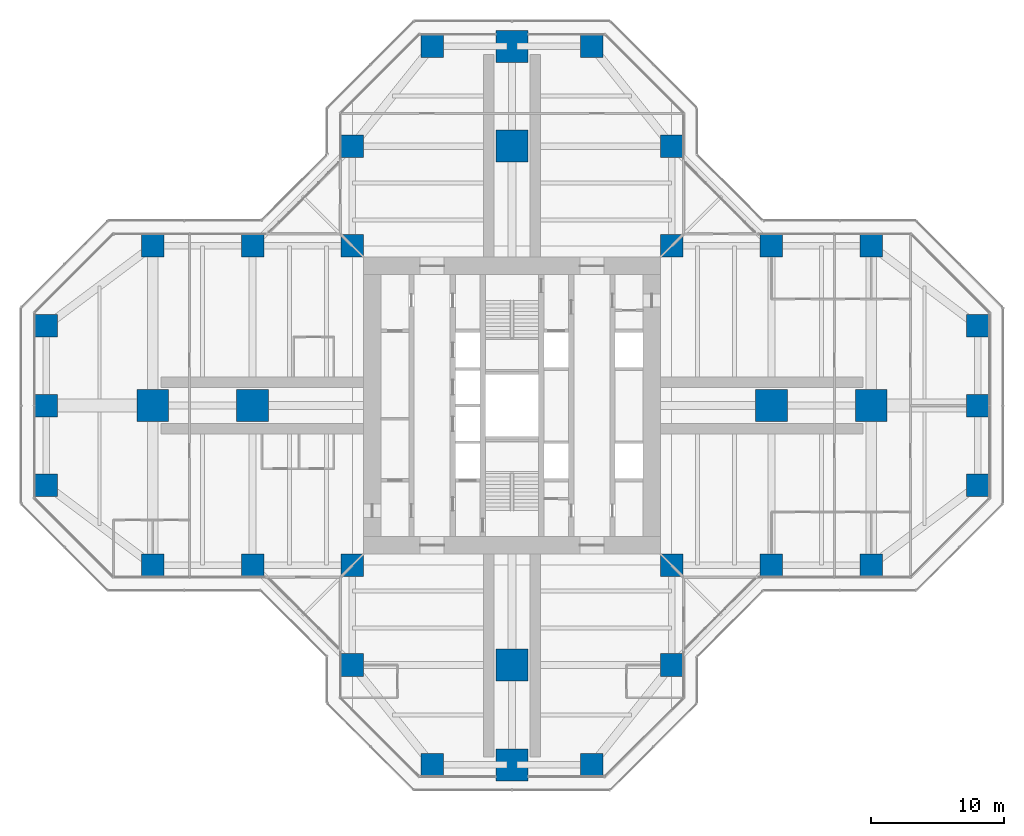
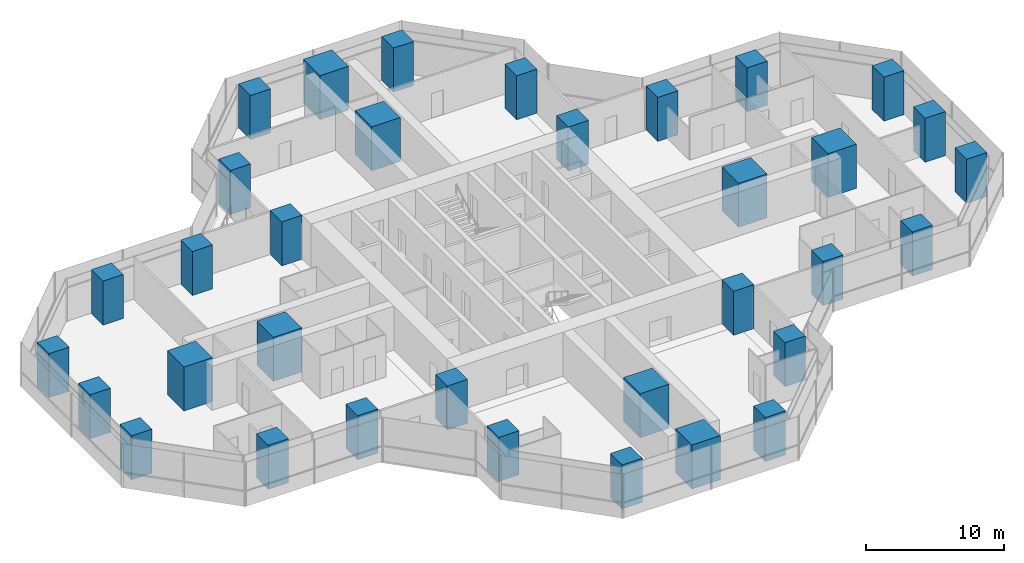
# One storey, part 1 of 20: 34 columns.
"""IFC4 building model written with IfcOpenShell, lengths in metres."""

from ifc_helpers import new_model, si_unit, direction, frame, origin, origin_2d, place, context, subcontext, project, spatial, rectangle, extrude, material, material_profile, profile_set, type_object, element, save


model = new_model("IFC4")

# Units and contexts
model_context = context("Model", 3, precision=1e-05, world=origin(), true_north=direction((0.0, 1.0)))
body_context = subcontext(model_context, "Body", "Model", "MODEL_VIEW")
ifc_project = project(units=[si_unit("LENGTHUNIT", "METRE"), si_unit("AREAUNIT", "SQUARE_METRE"), si_unit("VOLUMEUNIT", "CUBIC_METRE"), si_unit("PLANEANGLEUNIT", "RADIAN"), si_unit("MASSUNIT", "GRAM", prefix="KILO")], contexts=[model_context])

# Site, building, storey
site_placement = place(None, origin())
site = spatial("IfcSite", under=ifc_project, at=site_placement, CompositionType="ELEMENT")
building_placement = place(site_placement, origin())
building = spatial("IfcBuilding", under=site, at=building_placement, Name="Mizan Broadcast Tower", CompositionType="ELEMENT")
storey_placement = place(building_placement, frame((0.0, 0.0, 139.800048828125)))
storey = spatial("IfcBuildingStorey", under=building, at=storey_placement, Name="L31", CompositionType="ELEMENT", Elevation=139.800048828125)

# Columns
ifc_material_1 = material(Name="Concrete C70/85", Category="concrete")
ifc_material_profile_1 = material_profile(ifc_material_1, rectangle(XDim=1.699951171875, YDim=1.699951171875, at=origin_2d()), Name="RC 1700x1700")
ifc_profile_set_1 = profile_set([ifc_material_profile_1], Name="Concrete C70/85")
column_type_1 = type_object("IfcColumnType", Name="RC COLUMN 1700x1700 C70/85", PredefinedType="COLUMN", material=ifc_profile_set_1)
for number, where, z_axis, x_axis, name in (
    (1, (-6.0, -27.0, 0.0), (0.0, 0.0, 1.0), (1.0, 0.0, 0.0), "Column 5/B L31"),
    (2, (6.0, -27.0, 0.0), (0.0, 0.0, 1.0), (1.0, 0.0, 0.0), "Column 7/B L31"),
    (3, (-12.0, -19.5, 0.0), (0.0, 0.0, 1.0), (1.0, 0.0, 0.0), "Column 4/C L31"),
    (4, (12.0, -19.5, 0.0), (0.0, 0.0, 1.0), (1.0, 0.0, 0.0), "Column 8/C L31"),
    (5, (-27.0, -12.0, 0.0), (0.0, 0.0, 1.0), (1.0, 0.0, 0.0), "Column 2/D L31"),
    (6, (-19.5, -12.0, 0.0), (0.0, 0.0, 1.0), (1.0, 0.0, 0.0), "Column 3/D L31"),
    (7, (-12.0, -12.0, 0.0), (0.0, 0.0, 1.0), (1.0, 0.0, 0.0), "Column 4/D L31"),
    (8, (12.0, -12.0, 0.0), (0.0, 0.0, 1.0), (1.0, 0.0, 0.0), "Column 8/D L31"),
    (9, (19.5, -12.0, 0.0), (0.0, 0.0, 1.0), (1.0, 0.0, 0.0), "Column 9/D L31"),
    (10, (27.0, -12.0, 0.0), (0.0, 0.0, 1.0), (1.0, 0.0, 0.0), "Column 10/D L31"),
    (11, (-35.0, -6.0, 0.0), (0.0, 0.0, 1.0), (1.0, 0.0, 0.0), "Column 1/E L31"),
    (12, (35.0, -6.0, 0.0), (0.0, 0.0, 1.0), (1.0, 0.0, 0.0), "Column 11/E L31"),
    (13, (-35.0, 0.0, 0.0), (0.0, 0.0, 1.0), (1.0, 0.0, 0.0), "Column 1/F L31"),
    (14, (35.0, 0.0, 0.0), (0.0, 0.0, 1.0), (1.0, 0.0, 0.0), "Column 11/F L31"),
    (15, (-35.0, 6.0, 0.0), (0.0, 0.0, 1.0), (1.0, 0.0, 0.0), "Column 1/G L31"),
    (16, (35.0, 6.0, 0.0), (0.0, 0.0, 1.0), (1.0, 0.0, 0.0), "Column 11/G L31"),
    (17, (-27.0, 12.0, 0.0), (0.0, 0.0, 1.0), (1.0, 0.0, 0.0), "Column 2/H L31"),
    (18, (-19.5, 12.0, 0.0), (0.0, 0.0, 1.0), (1.0, 0.0, 0.0), "Column 3/H L31"),
    (19, (-12.0, 12.0, 0.0), (0.0, 0.0, 1.0), (1.0, 0.0, 0.0), "Column 4/H L31"),
    (20, (12.0, 12.0, 0.0), (0.0, 0.0, 1.0), (1.0, 0.0, 0.0), "Column 8/H L31"),
    (21, (19.5, 12.0, 0.0), (0.0, 0.0, 1.0), (1.0, 0.0, 0.0), "Column 9/H L31"),
    (22, (27.0, 12.0, 0.0), (0.0, 0.0, 1.0), (1.0, 0.0, 0.0), "Column 10/H L31"),
    (23, (-12.0, 19.5, 0.0), (0.0, 0.0, 1.0), (1.0, 0.0, 0.0), "Column 4/J L31"),
    (24, (12.0, 19.5, 0.0), (0.0, 0.0, 1.0), (1.0, 0.0, 0.0), "Column 8/J L31"),
    (25, (-6.0, 27.0, 0.0), (0.0, 0.0, 1.0), (1.0, 0.0, 0.0), "Column 5/K L31"),
    (26, (6.0, 27.0, 0.0), (0.0, 0.0, 1.0), (1.0, 0.0, 0.0), "Column 7/K L31"),
):
    element("IfcColumn", number, at=place(storey_placement, frame(where, z_axis=z_axis, x_axis=x_axis)), inside=storey, type_object=column_type_1, Name=name, PredefinedType="COLUMN", context=body_context, shape_type="SweptSolid", body=[
        extrude(rectangle(XDim=1.699951171875, YDim=1.699951171875, at=origin_2d()), origin(), (0.0, 0.0, 1.0), 3.89990234375),
    ])
ifc_material_2 = material(Name="Concrete C70/85", Category="concrete")
ifc_material_profile_2 = material_profile(ifc_material_2, rectangle(XDim=2.39990234375, YDim=2.39990234375, at=origin_2d()), Name="RC 2400x2400")
ifc_profile_set_2 = profile_set([ifc_material_profile_2], Name="Concrete C70/85")
column_type_2 = type_object("IfcColumnType", Name="RC COLUMN 2400x2400 C70/85", PredefinedType="COLUMN", material=ifc_profile_set_2)
for number, where, z_axis, x_axis, name in (
    (27, (0.0, -27.0, 0.0), (0.0, 0.0, 1.0), (1.0, 0.0, 0.0), "Column 6/B L31"),
    (28, (0.0, -19.5, 0.0), (0.0, 0.0, 1.0), (1.0, 0.0, 0.0), "Column 6/C L31"),
    (29, (-27.0, 0.0, 0.0), (0.0, 0.0, 1.0), (1.0, 0.0, 0.0), "Column 2/F L31"),
    (30, (-19.5, 0.0, 0.0), (0.0, 0.0, 1.0), (1.0, 0.0, 0.0), "Column 3/F L31"),
    (31, (19.5, 0.0, 0.0), (0.0, 0.0, 1.0), (1.0, 0.0, 0.0), "Column 9/F L31"),
    (32, (27.0, 0.0, 0.0), (0.0, 0.0, 1.0), (1.0, 0.0, 0.0), "Column 10/F L31"),
    (33, (0.0, 19.5, 0.0), (0.0, 0.0, 1.0), (1.0, 0.0, 0.0), "Column 6/J L31"),
    (34, (0.0, 27.0, 0.0), (0.0, 0.0, 1.0), (1.0, 0.0, 0.0), "Column 6/K L31"),
):
    element("IfcColumn", number, at=place(storey_placement, frame(where, z_axis=z_axis, x_axis=x_axis)), inside=storey, type_object=column_type_2, Name=name, PredefinedType="COLUMN", context=body_context, shape_type="SweptSolid", body=[
        extrude(rectangle(XDim=2.39990234375, YDim=2.39990234375, at=origin_2d()), origin(), (0.0, 0.0, 1.0), 3.89990234375),
    ])

save(model, "model.ifc")
